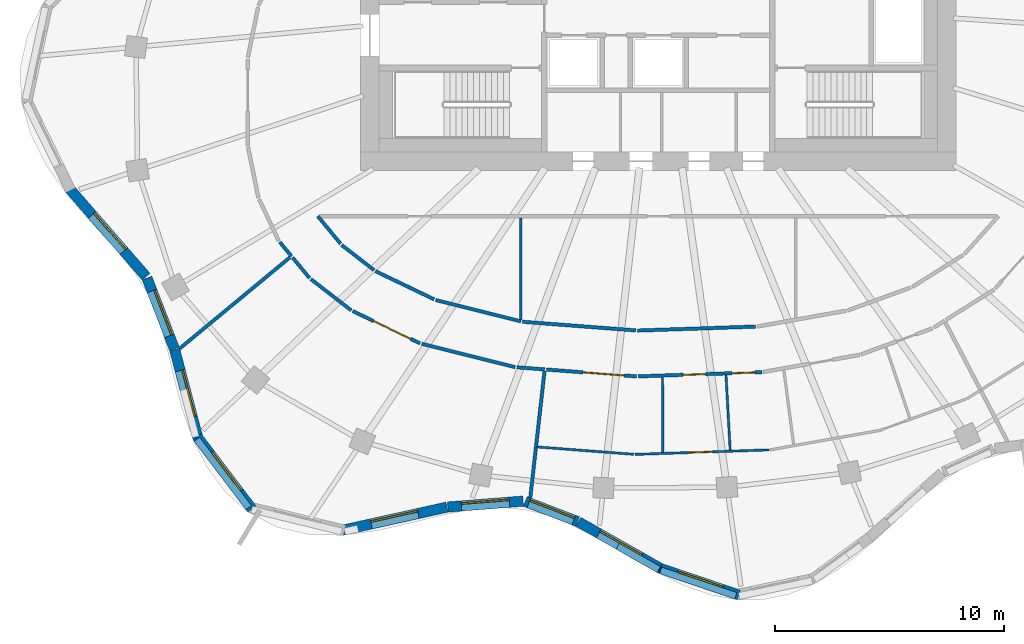
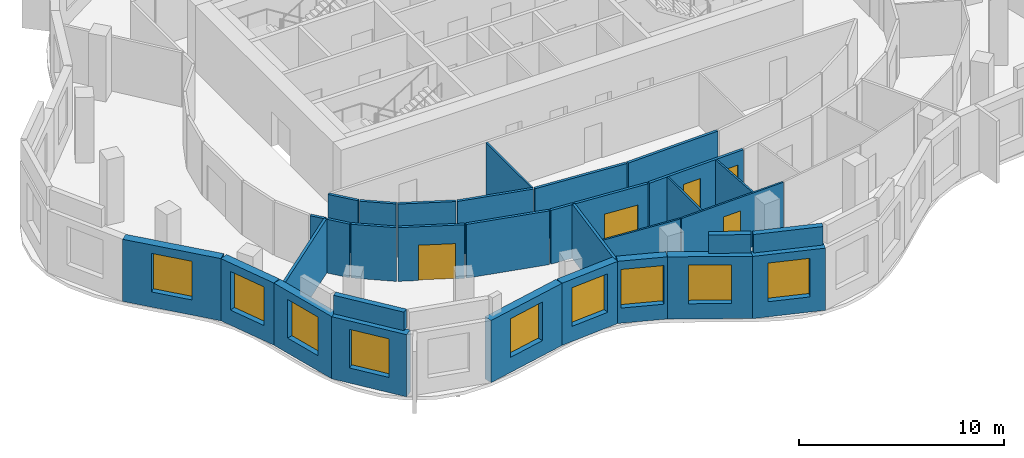
# One storey, part 3 of 10: 33 walls, 9 windows, 5 doors, 14 openings.
"""IFC4 building model written with IfcOpenShell, lengths in metres."""

from ifc_helpers import new_model, si_unit, direction, frame, frame_2d, origin, place, context, subcontext, project, spatial, rectangle, extrude, material, layer, layer_set, type_object, element, fill, save


model = new_model("IFC4")

# Units and contexts
model_context = context("Model", 3, precision=1e-05, world=origin(), true_north=direction((0.0, 1.0)))
body_context = subcontext(model_context, "Body", "Model", "MODEL_VIEW")
ifc_project = project(units=[si_unit("LENGTHUNIT", "METRE"), si_unit("AREAUNIT", "SQUARE_METRE"), si_unit("VOLUMEUNIT", "CUBIC_METRE"), si_unit("PLANEANGLEUNIT", "RADIAN"), si_unit("MASSUNIT", "GRAM", prefix="KILO")], contexts=[model_context])

# Site, building, storey
site_placement = place(None, origin())
site = spatial("IfcSite", under=ifc_project, at=site_placement, CompositionType="ELEMENT")
building_placement = place(site_placement, origin())
building = spatial("IfcBuilding", under=site, at=building_placement, Name="Rubra Terraces Tower", CompositionType="ELEMENT")
storey_placement = place(building_placement, frame((0.0, 0.0, 292.199951171875)))
storey = spatial("IfcBuildingStorey", under=building, at=storey_placement, Name="L72", CompositionType="ELEMENT", Elevation=292.199951171875)

# Wall, opening, window
ifc_material_1 = material(Name="Brick masonry red-brown", Category="masonry")
ifc_layer_1 = layer(ifc_material_1, 0.449951171875)
ifc_layer_set_1 = layer_set([ifc_layer_1], Name="Brick masonry red-brown")
wall_type_1 = type_object("IfcWallType", Name="Brick facade wall 450", PredefinedType="SOLIDWALL", material=ifc_layer_set_1)
wall_1_placement = place(storey_placement, frame((-25.690673828125, -3.815185546875, 0.0), z_axis=(0.0, 0.0, 1.0), x_axis=(0.656552883353, -0.754279995334, 0.0)))
wall_1 = element("IfcWall", 1, at=wall_1_placement, inside=storey, type_object=wall_type_1, Name="Facade wall L72 bay 22", PredefinedType="SOLIDWALL", context=body_context, shape_type="SweptSolid", body=[
    extrude(rectangle(XDim=5.0712890625, YDim=0.449951171875, at=frame_2d((2.53564453125, 0.0))), origin(), (0.0, 0.0, 1.0), 3.699951171875),
])
opening_1_placement = place(wall_1_placement, frame((1.485595703125, 0.0, 0.89990234375)))
opening_1 = element("IfcOpeningElement", 2, at=opening_1_placement, cuts=wall_1, Name="Opening W1B", PredefinedType="OPENING", context=body_context, shape_type="SweptSolid", body=[
    extrude(rectangle(XDim=2.10009765625, YDim=2.300048828125, at=frame_2d((1.050048828125, 1.14990234375))), frame((0.0, 0.23486328125, 0.0), z_axis=(0.0, -1.0, 0.0), x_axis=(1.0, 0.0, 0.0)), (0.0, 0.0, 1.0), 0.469970703125),
])
ifc_material_2 = material(Name="Clear glass in aluminium frame", Category="aluminium")
window_type = type_object("IfcWindowType", Name="Fixed deep-set window tall storey 2100 x 2300", PartitioningType="SINGLE_PANEL", PredefinedType="WINDOW", material=ifc_material_2)
window_1_placement = place(opening_1_placement, origin())
window_1 = element("IfcWindow", 3, at=window_1_placement, inside=storey, type_object=window_type, Name="Window L72 bay 22", OverallHeight=2.300048828125, OverallWidth=2.10009765625, PartitioningType="SINGLE_PANEL", PredefinedType="WINDOW", context=body_context, shape_type="SweptSolid", body=[
    extrude(rectangle(XDim=2.10009765625, YDim=2.300048828125, at=frame_2d((1.050048828125, 1.14990234375))), frame((0.0, 0.135009765625, 0.0), z_axis=(0.0, -1.0, 0.0), x_axis=(1.0, 0.0, 0.0)), (0.0, 0.0, 1.0), 0.06005859375),
])
fill(opening_1, window_1)

wall_2_placement = place(storey_placement, frame((-22.323486328125, -7.70068359375, 0.0), z_axis=(0.0, 0.0, 1.0), x_axis=(0.361550075906, -0.932352692178, 0.0)))
wall_2 = element("IfcWall", 4, at=wall_2_placement, inside=storey, type_object=wall_type_1, Name="Facade wall L72 bay 23", PredefinedType="SOLIDWALL", context=body_context, shape_type="SweptSolid", body=[
    extrude(rectangle(XDim=3.3134765625, YDim=0.449951171875, at=frame_2d((1.65673828125, 0.0))), origin(), (0.0, 0.0, 1.0), 3.699951171875),
])
opening_2_placement = place(wall_2_placement, frame((0.606689453125, 0.0, 0.89990234375)))
opening_2 = element("IfcOpeningElement", 5, at=opening_2_placement, cuts=wall_2, Name="Opening W1B", PredefinedType="OPENING", context=body_context, shape_type="SweptSolid", body=[
    extrude(rectangle(XDim=2.10009765625, YDim=2.300048828125, at=frame_2d((1.050048828125, 1.14990234375))), frame((0.0, 0.23486328125, 0.0), z_axis=(0.0, -1.0, 0.0), x_axis=(1.0, 0.0, 0.0)), (0.0, 0.0, 1.0), 0.469970703125),
])
window_2_placement = place(opening_2_placement, origin())
window_2 = element("IfcWindow", 6, at=window_2_placement, inside=storey, type_object=window_type, Name="Window L72 bay 23", OverallHeight=2.300048828125, OverallWidth=2.10009765625, PartitioningType="SINGLE_PANEL", PredefinedType="WINDOW", context=body_context, shape_type="SweptSolid", body=[
    extrude(rectangle(XDim=2.10009765625, YDim=2.300048828125, at=frame_2d((1.050048828125, 1.14990234375))), frame((0.0, 0.135009765625, 0.0), z_axis=(0.0, -1.0, 0.0), x_axis=(1.0, 0.0, 0.0)), (0.0, 0.0, 1.0), 0.06005859375),
])
fill(opening_2, window_2)

wall_3_placement = place(storey_placement, frame((-21.11669921875, -10.8154296875, 0.0), z_axis=(0.0, 0.0, 1.0), x_axis=(0.253065392985, -0.967449175344, 0.0)))
wall_3 = element("IfcWall", 7, at=wall_3_placement, inside=storey, type_object=wall_type_1, Name="Facade wall L72 bay 24", PredefinedType="SOLIDWALL", context=body_context, shape_type="SweptSolid", body=[
    extrude(rectangle(XDim=4.01513671875, YDim=0.449951171875, at=frame_2d((2.007568359375, 0.0))), origin(), (0.0, 0.0, 1.0), 3.699951171875),
])
opening_3_placement = place(wall_3_placement, frame((0.95751953125, 0.0, 0.89990234375)))
opening_3 = element("IfcOpeningElement", 8, at=opening_3_placement, cuts=wall_3, Name="Opening W1B", PredefinedType="OPENING", context=body_context, shape_type="SweptSolid", body=[
    extrude(rectangle(XDim=2.10009765625, YDim=2.300048828125, at=frame_2d((1.050048828125, 1.14990234375))), frame((0.0, 0.23486328125, 0.0), z_axis=(0.0, -1.0, 0.0), x_axis=(1.0, 0.0, 0.0)), (0.0, 0.0, 1.0), 0.469970703125),
])
window_3_placement = place(opening_3_placement, origin())
window_3 = element("IfcWindow", 9, at=window_3_placement, inside=storey, type_object=window_type, Name="Window L72 bay 24", OverallHeight=2.300048828125, OverallWidth=2.10009765625, PartitioningType="SINGLE_PANEL", PredefinedType="WINDOW", context=body_context, shape_type="SweptSolid", body=[
    extrude(rectangle(XDim=2.10009765625, YDim=2.300048828125, at=frame_2d((1.050048828125, 1.14990234375))), frame((0.0, 0.135009765625, 0.0), z_axis=(0.0, -1.0, 0.0), x_axis=(1.0, 0.0, 0.0)), (0.0, 0.0, 1.0), 0.06005859375),
])
fill(opening_3, window_3)

wall_4_placement = place(storey_placement, frame((-20.1376953125, -14.6259765625, 0.0), z_axis=(0.0, 0.0, 1.0), x_axis=(0.604591324894, -0.796535830872, 0.0)))
wall_4 = element("IfcWall", 10, at=wall_4_placement, inside=storey, type_object=wall_type_1, Name="Facade wall L72 bay 25", PredefinedType="SOLIDWALL", context=body_context, shape_type="SweptSolid", body=[
    extrude(rectangle(XDim=3.964599609375, YDim=0.449951171875, at=frame_2d((1.982421875, 0.0))), origin(), (0.0, 0.0, 1.0), 3.699951171875),
])
opening_4_placement = place(wall_4_placement, frame((0.932373046875, 0.0, 0.89990234375)))
opening_4 = element("IfcOpeningElement", 11, at=opening_4_placement, cuts=wall_4, Name="Opening W1B", PredefinedType="OPENING", context=body_context, shape_type="SweptSolid", body=[
    extrude(rectangle(XDim=2.10009765625, YDim=2.300048828125, at=frame_2d((1.050048828125, 1.14990234375))), frame((0.0, 0.23486328125, 0.0), z_axis=(0.0, -1.0, 0.0), x_axis=(1.0, 0.0, 0.0)), (0.0, 0.0, 1.0), 0.469970703125),
])
window_4_placement = place(opening_4_placement, origin())
window_4 = element("IfcWindow", 12, at=window_4_placement, inside=storey, type_object=window_type, Name="Window L72 bay 25", OverallHeight=2.300048828125, OverallWidth=2.10009765625, PartitioningType="SINGLE_PANEL", PredefinedType="WINDOW", context=body_context, shape_type="SweptSolid", body=[
    extrude(rectangle(XDim=2.10009765625, YDim=2.300048828125, at=frame_2d((1.050048828125, 1.14990234375))), frame((0.0, 0.135009765625, 0.0), z_axis=(0.0, -1.0, 0.0), x_axis=(1.0, 0.0, 0.0)), (0.0, 0.0, 1.0), 0.06005859375),
])
fill(opening_4, window_4)

wall_5_placement = place(storey_placement, frame((-13.802001953125, -18.714599609375, 0.0), z_axis=(0.0, 0.0, 1.0), x_axis=(0.976380129166, 0.216059814331, 0.0)))
wall_5 = element("IfcWall", 13, at=wall_5_placement, inside=storey, type_object=wall_type_1, Name="Facade wall L72 bay 27", PredefinedType="SOLIDWALL", context=body_context, shape_type="SweptSolid", body=[
    extrude(rectangle(XDim=4.691650390625, YDim=0.449951171875, at=frame_2d((2.345703125, 0.0))), origin(), (0.0, 0.0, 1.0), 3.699951171875),
])
opening_5_placement = place(wall_5_placement, frame((1.295654296875, 0.0, 0.89990234375)))
opening_5 = element("IfcOpeningElement", 14, at=opening_5_placement, cuts=wall_5, Name="Opening W1B", PredefinedType="OPENING", context=body_context, shape_type="SweptSolid", body=[
    extrude(rectangle(XDim=2.10009765625, YDim=2.300048828125, at=frame_2d((1.050048828125, 1.14990234375))), frame((0.0, 0.23486328125, 0.0), z_axis=(0.0, -1.0, 0.0), x_axis=(1.0, 0.0, 0.0)), (0.0, 0.0, 1.0), 0.469970703125),
])
window_5_placement = place(opening_5_placement, origin())
window_5 = element("IfcWindow", 15, at=window_5_placement, inside=storey, type_object=window_type, Name="Window L72 bay 27", OverallHeight=2.300048828125, OverallWidth=2.10009765625, PartitioningType="SINGLE_PANEL", PredefinedType="WINDOW", context=body_context, shape_type="SweptSolid", body=[
    extrude(rectangle(XDim=2.10009765625, YDim=2.300048828125, at=frame_2d((1.050048828125, 1.14990234375))), frame((0.0, 0.135009765625, 0.0), z_axis=(0.0, -1.0, 0.0), x_axis=(1.0, 0.0, 0.0)), (0.0, 0.0, 1.0), 0.06005859375),
])
fill(opening_5, window_5)

wall_6_placement = place(storey_placement, frame((-9.188232421875, -17.69677734375, 0.0), z_axis=(0.0, 0.0, 1.0), x_axis=(0.996964028691, 0.077863505548, 0.0)))
wall_6 = element("IfcWall", 16, at=wall_6_placement, inside=storey, type_object=wall_type_1, Name="Facade wall L72 bay 28", PredefinedType="SOLIDWALL", context=body_context, shape_type="SweptSolid", body=[
    extrude(rectangle(XDim=3.29541015625, YDim=0.449951171875, at=frame_2d((1.647705078125, 0.0))), origin(), (0.0, 0.0, 1.0), 3.699951171875),
])
opening_6_placement = place(wall_6_placement, frame((0.59765625, 0.0, 0.89990234375)))
opening_6 = element("IfcOpeningElement", 17, at=opening_6_placement, cuts=wall_6, Name="Opening W1B", PredefinedType="OPENING", context=body_context, shape_type="SweptSolid", body=[
    extrude(rectangle(XDim=2.10009765625, YDim=2.300048828125, at=frame_2d((1.050048828125, 1.14990234375))), frame((0.0, 0.23486328125, 0.0), z_axis=(0.0, -1.0, 0.0), x_axis=(1.0, 0.0, 0.0)), (0.0, 0.0, 1.0), 0.469970703125),
])
window_6_placement = place(opening_6_placement, origin())
window_6 = element("IfcWindow", 18, at=window_6_placement, inside=storey, type_object=window_type, Name="Window L72 bay 28", OverallHeight=2.300048828125, OverallWidth=2.10009765625, PartitioningType="SINGLE_PANEL", PredefinedType="WINDOW", context=body_context, shape_type="SweptSolid", body=[
    extrude(rectangle(XDim=2.10009765625, YDim=2.300048828125, at=frame_2d((1.050048828125, 1.14990234375))), frame((0.0, 0.135009765625, 0.0), z_axis=(0.0, -1.0, 0.0), x_axis=(1.0, 0.0, 0.0)), (0.0, 0.0, 1.0), 0.06005859375),
])
fill(opening_6, window_6)

wall_7_placement = place(storey_placement, frame((-5.810546875, -17.45458984375, 0.0), z_axis=(0.0, 0.0, 1.0), x_axis=(0.934122271306, -0.35695319336, 0.0)))
wall_7 = element("IfcWall", 19, at=wall_7_placement, inside=storey, type_object=wall_type_1, Name="Facade wall L72 bay 29", PredefinedType="SOLIDWALL", context=body_context, shape_type="SweptSolid", body=[
    extrude(rectangle(XDim=2.447998046875, YDim=0.449951171875, at=frame_2d((1.22412109375, 0.0))), origin(), (0.0, 0.0, 1.0), 3.699951171875),
])
opening_7_placement = place(wall_7_placement, frame((0.174072265625, 0.0, 0.89990234375)))
opening_7 = element("IfcOpeningElement", 20, at=opening_7_placement, cuts=wall_7, Name="Opening W1B", PredefinedType="OPENING", context=body_context, shape_type="SweptSolid", body=[
    extrude(rectangle(XDim=2.10009765625, YDim=2.300048828125, at=frame_2d((1.050048828125, 1.14990234375))), frame((0.0, 0.23486328125, 0.0), z_axis=(0.0, -1.0, 0.0), x_axis=(1.0, 0.0, 0.0)), (0.0, 0.0, 1.0), 0.469970703125),
])
window_7_placement = place(opening_7_placement, origin())
window_7 = element("IfcWindow", 21, at=window_7_placement, inside=storey, type_object=window_type, Name="Window L72 bay 29", OverallHeight=2.300048828125, OverallWidth=2.10009765625, PartitioningType="SINGLE_PANEL", PredefinedType="WINDOW", context=body_context, shape_type="SweptSolid", body=[
    extrude(rectangle(XDim=2.10009765625, YDim=2.300048828125, at=frame_2d((1.050048828125, 1.14990234375))), frame((0.0, 0.135009765625, 0.0), z_axis=(0.0, -1.0, 0.0), x_axis=(1.0, 0.0, 0.0)), (0.0, 0.0, 1.0), 0.06005859375),
])
fill(opening_7, window_7)

wall_8_placement = place(storey_placement, frame((-3.4931640625, -18.3427734375, 0.0), z_axis=(0.0, 0.0, 1.0), x_axis=(0.869825988853, -0.493358641473, 0.0)))
wall_8 = element("IfcWall", 22, at=wall_8_placement, inside=storey, type_object=wall_type_1, Name="Facade wall L72 bay 30", PredefinedType="SOLIDWALL", context=body_context, shape_type="SweptSolid", body=[
    extrude(rectangle(XDim=4.164794921875, YDim=0.449951171875, at=frame_2d((2.08251953125, 0.0))), origin(), (0.0, 0.0, 1.0), 3.699951171875),
])
opening_8_placement = place(wall_8_placement, frame((1.032470703125, 0.0, 0.89990234375)))
opening_8 = element("IfcOpeningElement", 23, at=opening_8_placement, cuts=wall_8, Name="Opening W1B", PredefinedType="OPENING", context=body_context, shape_type="SweptSolid", body=[
    extrude(rectangle(XDim=2.10009765625, YDim=2.300048828125, at=frame_2d((1.050048828125, 1.14990234375))), frame((0.0, 0.23486328125, 0.0), z_axis=(0.0, -1.0, 0.0), x_axis=(1.0, 0.0, 0.0)), (0.0, 0.0, 1.0), 0.469970703125),
])
window_8_placement = place(opening_8_placement, origin())
window_8 = element("IfcWindow", 24, at=window_8_placement, inside=storey, type_object=window_type, Name="Window L72 bay 30", OverallHeight=2.300048828125, OverallWidth=2.10009765625, PartitioningType="SINGLE_PANEL", PredefinedType="WINDOW", context=body_context, shape_type="SweptSolid", body=[
    extrude(rectangle(XDim=2.10009765625, YDim=2.300048828125, at=frame_2d((1.050048828125, 1.14990234375))), frame((0.0, 0.135009765625, 0.0), z_axis=(0.0, -1.0, 0.0), x_axis=(1.0, 0.0, 0.0)), (0.0, 0.0, 1.0), 0.06005859375),
])
fill(opening_8, window_8)

wall_9_placement = place(storey_placement, frame((0.090576171875, -20.380126953125, 0.0), z_axis=(0.0, 0.0, 1.0), x_axis=(0.947304227221, -0.320335294791, 0.0)))
wall_9 = element("IfcWall", 25, at=wall_9_placement, inside=storey, type_object=wall_type_1, Name="Facade wall L72 bay 31", PredefinedType="SOLIDWALL", context=body_context, shape_type="SweptSolid", body=[
    extrude(rectangle(XDim=3.6171875, YDim=0.449951171875, at=frame_2d((1.80859375, 0.0))), origin(), (0.0, 0.0, 1.0), 3.699951171875),
])
opening_9_placement = place(wall_9_placement, frame((0.758544921875, 0.0, 0.89990234375)))
opening_9 = element("IfcOpeningElement", 26, at=opening_9_placement, cuts=wall_9, Name="Opening W1B", PredefinedType="OPENING", context=body_context, shape_type="SweptSolid", body=[
    extrude(rectangle(XDim=2.10009765625, YDim=2.300048828125, at=frame_2d((1.050048828125, 1.14990234375))), frame((0.0, 0.23486328125, 0.0), z_axis=(0.0, -1.0, 0.0), x_axis=(1.0, 0.0, 0.0)), (0.0, 0.0, 1.0), 0.469970703125),
])
window_9_placement = place(opening_9_placement, origin())
window_9 = element("IfcWindow", 27, at=window_9_placement, inside=storey, type_object=window_type, Name="Window L72 bay 31", OverallHeight=2.300048828125, OverallWidth=2.10009765625, PartitioningType="SINGLE_PANEL", PredefinedType="WINDOW", context=body_context, shape_type="SweptSolid", body=[
    extrude(rectangle(XDim=2.10009765625, YDim=2.300048828125, at=frame_2d((1.050048828125, 1.14990234375))), frame((0.0, 0.135009765625, 0.0), z_axis=(0.0, -1.0, 0.0), x_axis=(1.0, 0.0, 0.0)), (0.0, 0.0, 1.0), 0.06005859375),
])
fill(opening_9, window_9)

# Walls
ifc_layer_2 = layer(ifc_material_1, 0.300048828125)
ifc_layer_set_2 = layer_set([ifc_layer_2], Name="Brick masonry red-brown")
wall_type_2 = type_object("IfcWallType", Name="Brick parapet 300", PredefinedType="PARAPET", material=ifc_layer_set_2)
wall_10_placement = place(storey_placement, frame((-20.143310546875, -14.742919921875, 3.900146484375), z_axis=(0.0, 0.0, 1.0), x_axis=(0.60459800049, -0.796530763878, 0.0)))
element("IfcWall", 28, at=wall_10_placement, inside=storey, type_object=wall_type_2, Name="Parapet L72 bay 25", PredefinedType="PARAPET", context=body_context, shape_type="SweptSolid", body=[
    extrude(rectangle(XDim=3.738525390625, YDim=0.300048828125, at=frame_2d((1.869140625, 0.0))), origin(), (0.0, 0.0, 1.0), 1.099853515625),
])
wall_11_placement = place(storey_placement, frame((-1.773681640625, -19.40869140625, 3.900146484375), z_axis=(0.0, 0.0, 1.0), x_axis=(0.869875110904, -0.493272025792, 0.0)))
element("IfcWall", 29, at=wall_11_placement, inside=storey, type_object=wall_type_2, Name="Parapet L72 bay 30", PredefinedType="PARAPET", context=body_context, shape_type="SweptSolid", body=[
    extrude(rectangle(XDim=2.0654296875, YDim=0.300048828125, at=frame_2d((1.03271484375, 0.0))), origin(), (0.0, 0.0, 1.0), 1.099853515625),
])
wall_12_placement = place(storey_placement, frame((0.103515625, -20.463623046875, 3.900146484375), z_axis=(0.0, 0.0, 1.0), x_axis=(0.947286690835, -0.32038714919, 0.0)))
element("IfcWall", 30, at=wall_12_placement, inside=storey, type_object=wall_type_2, Name="Parapet L72 bay 31", PredefinedType="PARAPET", context=body_context, shape_type="SweptSolid", body=[
    extrude(rectangle(XDim=3.46630859375, YDim=0.300048828125, at=frame_2d((1.733154296875, 0.0))), origin(), (0.0, 0.0, 1.0), 1.099853515625),
])
ifc_material_3 = material(Name="Plasterboard on steel stud, mineral wool infill", Category="steel")
ifc_layer_3 = layer(ifc_material_3, 0.14990234375)
ifc_layer_set_3 = layer_set([ifc_layer_3], Name="Plasterboard on steel stud, mineral wool infill")
wall_type_3 = type_object("IfcWallType", Name="CORRIDOR PARTITION 150", PredefinedType="PARTITIONING", material=ifc_layer_set_3)
wall_13_placement = place(storey_placement, frame((-16.523193359375, -6.131591796875, 0.0), z_axis=(0.0, 0.0, 1.0), x_axis=(0.636698606768, -0.771112757085, 0.0)))
element("IfcWall", 31, at=wall_13_placement, inside=storey, type_object=wall_type_3, Name="PARTITION", PredefinedType="PARTITIONING", context=body_context, shape_type="SweptSolid", body=[
    extrude(rectangle(XDim=0.793701171875, YDim=0.14990234375, at=frame_2d((0.39697265625, 0.0))), origin(), (0.0, 0.0, 1.0), 3.197998046875),
])
wall_14_placement = place(storey_placement, frame((-15.97021484375, -6.801513671875, 0.0), z_axis=(0.0, 0.0, 1.0), x_axis=(0.636897609689, -0.770948399552, 0.0)))
element("IfcWall", 32, at=wall_14_placement, inside=storey, type_object=wall_type_3, Name="PARTITION", PredefinedType="PARTITIONING", context=body_context, shape_type="SweptSolid", body=[
    extrude(rectangle(XDim=1.171142578125, YDim=0.14990234375, at=frame_2d((0.58544921875, 0.0))), origin(), (0.0, 0.0, 1.0), 3.197998046875),
])
wall_15_placement = place(storey_placement, frame((-15.1650390625, -7.750244140625, 0.0), z_axis=(0.0, 0.0, 1.0), x_axis=(0.790917548929, -0.611922732701, 0.0)))
element("IfcWall", 33, at=wall_15_placement, inside=storey, type_object=wall_type_3, Name="PARTITION", PredefinedType="PARTITIONING", context=body_context, shape_type="SweptSolid", body=[
    extrude(rectangle(XDim=2.221923828125, YDim=0.14990234375, at=frame_2d((1.11083984375, 0.0))), origin(), (0.0, 0.0, 1.0), 3.197998046875),
])

# Wall, opening, door
wall_16_placement = place(storey_placement, frame((-13.340087890625, -9.142333984375, 0.0), z_axis=(0.0, 0.0, 1.0), x_axis=(0.901599124721, -0.432572558425, 0.0)))
wall_16 = element("IfcWall", 34, at=wall_16_placement, inside=storey, type_object=wall_type_3, Name="PARTITION", PredefinedType="PARTITIONING", context=body_context, shape_type="SweptSolid", body=[
    extrude(rectangle(XDim=3.2548828125, YDim=0.14990234375, at=frame_2d((1.62744140625, 0.0))), origin(), (0.0, 0.0, 1.0), 3.197998046875),
])
opening_10_placement = place(wall_16_placement, frame((1.0, 0.0, 0.0)))
opening_10 = element("IfcOpeningElement", 35, at=opening_10_placement, cuts=wall_16, Name="Opening 72-102", PredefinedType="OPENING", context=body_context, shape_type="SweptSolid", body=[
    extrude(rectangle(XDim=1.800048828125, YDim=2.10009765625, at=frame_2d((0.89990234375, 1.050048828125))), frame((0.0, 0.0849609375, 0.0), z_axis=(0.0, -1.0, 0.0), x_axis=(1.0, 0.0, 0.0)), (0.0, 0.0, 1.0), 0.169921875),
])
ifc_material_4 = material(Name="Painted timber door leaf, double", Category="wood")
door_type_1 = type_object("IfcDoorType", Name="ROOM DOUBLE DOOR 1800 X 2100", OperationType="DOUBLE_DOOR_SINGLE_SWING", PredefinedType="DOOR", material=ifc_material_4)
door_1_placement = place(opening_10_placement, origin())
door_1 = element("IfcDoor", 36, at=door_1_placement, inside=storey, type_object=door_type_1, Name="DOOR 72-102", OperationType="DOUBLE_DOOR_SINGLE_SWING", OverallHeight=2.10009765625, OverallWidth=1.800048828125, PredefinedType="DOOR", context=body_context, shape_type="SweptSolid", body=[
    extrude(rectangle(XDim=1.800048828125, YDim=2.10009765625, at=frame_2d((0.89990234375, 1.050048828125))), frame((0.0, 0.02490234375, 0.0), z_axis=(0.0, -1.0, 0.0), x_axis=(1.0, 0.0, 0.0)), (0.0, 0.0, 1.0), 0.050048828125),
])
fill(opening_10, door_1)

# Walls
wall_17_placement = place(storey_placement, frame((-10.332763671875, -10.568603515625, 0.0), z_axis=(0.0, 0.0, 1.0), x_axis=(0.970067398009, -0.242835836151, 0.0)))
element("IfcWall", 37, at=wall_17_placement, inside=storey, type_object=wall_type_3, Name="PARTITION", PredefinedType="PARTITIONING", context=body_context, shape_type="SweptSolid", body=[
    extrude(rectangle(XDim=4.20947265625, YDim=0.14990234375, at=frame_2d((2.104736328125, 0.0))), origin(), (0.0, 0.0, 1.0), 3.197998046875),
])
wall_18_placement = place(storey_placement, frame((-6.174560546875, -11.596435546875, 0.0), z_axis=(0.0, 0.0, 1.0), x_axis=(0.997106038867, -0.076023333621, 0.0)))
element("IfcWall", 38, at=wall_18_placement, inside=storey, type_object=wall_type_3, Name="PARTITION", PredefinedType="PARTITIONING", context=body_context, shape_type="SweptSolid", body=[
    extrude(rectangle(XDim=1.22021484375, YDim=0.14990234375, at=frame_2d((0.610107421875, 0.0))), origin(), (0.0, 0.0, 1.0), 3.197998046875),
])

# Wall, opening, door
wall_19_placement = place(storey_placement, frame((-4.8828125, -11.695068359375, 0.0), z_axis=(0.0, 0.0, 1.0), x_axis=(0.997096936577, -0.076142623207, 0.0)))
wall_19 = element("IfcWall", 39, at=wall_19_placement, inside=storey, type_object=wall_type_3, Name="PARTITION", PredefinedType="PARTITIONING", context=body_context, shape_type="SweptSolid", body=[
    extrude(rectangle(XDim=3.94384765625, YDim=0.14990234375, at=frame_2d((1.971923828125, 0.0))), origin(), (0.0, 0.0, 1.0), 3.197998046875),
])
opening_11_placement = place(wall_19_placement, frame((1.60400390625, 0.0, 0.0)))
opening_11 = element("IfcOpeningElement", 40, at=opening_11_placement, cuts=wall_19, Name="Opening 72-103", PredefinedType="OPENING", context=body_context, shape_type="SweptSolid", body=[
    extrude(rectangle(XDim=1.800048828125, YDim=2.10009765625, at=frame_2d((0.89990234375, 1.050048828125))), frame((0.0, 0.0849609375, 0.0), z_axis=(0.0, -1.0, 0.0), x_axis=(1.0, 0.0, 0.0)), (0.0, 0.0, 1.0), 0.169921875),
])
door_2_placement = place(opening_11_placement, origin())
door_2 = element("IfcDoor", 41, at=door_2_placement, inside=storey, type_object=door_type_1, Name="DOOR 72-103", OperationType="DOUBLE_DOOR_SINGLE_SWING", OverallHeight=2.10009765625, OverallWidth=1.800048828125, PredefinedType="DOOR", context=body_context, shape_type="SweptSolid", body=[
    extrude(rectangle(XDim=1.800048828125, YDim=2.10009765625, at=frame_2d((0.89990234375, 1.050048828125))), frame((0.0, 0.02490234375, 0.0), z_axis=(0.0, -1.0, 0.0), x_axis=(1.0, 0.0, 0.0)), (0.0, 0.0, 1.0), 0.050048828125),
])
fill(opening_11, door_2)

# Wall, openings, doors
wall_20_placement = place(storey_placement, frame((-0.87548828125, -11.992919921875, 0.0), z_axis=(0.0, 0.0, 1.0), x_axis=(0.999436745295, 0.033558786542, 0.0)))
wall_20 = element("IfcWall", 42, at=wall_20_placement, inside=storey, type_object=wall_type_3, Name="PARTITION", PredefinedType="PARTITIONING", context=body_context, shape_type="SweptSolid", body=[
    extrude(rectangle(XDim=5.39794921875, YDim=0.14990234375, at=frame_2d((2.698974609375, 0.0))), origin(), (0.0, 0.0, 1.0), 3.197998046875),
])
opening_12_placement = place(wall_20_placement, frame((1.947021484375, 0.0, 0.0)))
opening_12 = element("IfcOpeningElement", 43, at=opening_12_placement, cuts=wall_20, Name="Opening 72-104", PredefinedType="OPENING", context=body_context, shape_type="SweptSolid", body=[
    extrude(rectangle(XDim=1.0, YDim=2.39990234375, at=frame_2d((0.5, 1.199951171875))), frame((0.0, 0.0849609375, 0.0), z_axis=(0.0, -1.0, 0.0), x_axis=(1.0, 0.0, 0.0)), (0.0, 0.0, 1.0), 0.169921875),
])
opening_13_placement = place(wall_20_placement, frame((4.097900390625, 0.0, 0.0)))
opening_13 = element("IfcOpeningElement", 44, at=opening_13_placement, cuts=wall_20, Name="Opening 72-105", PredefinedType="OPENING", context=body_context, shape_type="SweptSolid", body=[
    extrude(rectangle(XDim=1.0, YDim=2.39990234375, at=frame_2d((0.5, 1.199951171875))), frame((0.0, 0.0849609375, 0.0), z_axis=(0.0, -1.0, 0.0), x_axis=(1.0, 0.0, 0.0)), (0.0, 0.0, 1.0), 0.169921875),
])
ifc_material_5 = material(Name="Glazed aluminium meeting door leaf", Category="aluminium")
door_type_2 = type_object("IfcDoorType", Name="MEETING ROOM GLAZED DOOR 1000 X 2400", OperationType="SINGLE_SWING_LEFT", PredefinedType="DOOR", material=ifc_material_5)
door_3_placement = place(opening_12_placement, origin())
door_3 = element("IfcDoor", 45, at=door_3_placement, inside=storey, type_object=door_type_2, Name="DOOR 72-104", OperationType="SINGLE_SWING_RIGHT", OverallHeight=2.39990234375, OverallWidth=1.0, PredefinedType="DOOR", context=body_context, shape_type="SweptSolid", body=[
    extrude(rectangle(XDim=1.0, YDim=2.39990234375, at=frame_2d((0.5, 1.199951171875))), frame((0.0, 0.02490234375, 0.0), z_axis=(0.0, -1.0, 0.0), x_axis=(1.0, 0.0, 0.0)), (0.0, 0.0, 1.0), 0.050048828125),
])
fill(opening_12, door_3)
door_4_placement = place(opening_13_placement, origin())
door_4 = element("IfcDoor", 46, at=door_4_placement, inside=storey, type_object=door_type_2, Name="DOOR 72-105", OperationType="SINGLE_SWING_RIGHT", OverallHeight=2.39990234375, OverallWidth=1.0, PredefinedType="DOOR", context=body_context, shape_type="SweptSolid", body=[
    extrude(rectangle(XDim=1.0, YDim=2.39990234375, at=frame_2d((0.5, 1.199951171875))), frame((0.0, 0.02490234375, 0.0), z_axis=(0.0, -1.0, 0.0), x_axis=(1.0, 0.0, 0.0)), (0.0, 0.0, 1.0), 0.050048828125),
])
fill(opening_13, door_4)

# Walls
wall_21_placement = place(storey_placement, frame((4.235595703125, -9.820068359375, 0.0), z_axis=(0.0, 0.0, 1.0), x_axis=(-0.999435760561, -0.033588100749, 0.0)))
element("IfcWall", 47, at=wall_21_placement, inside=storey, type_object=wall_type_3, Name="PARTITION", PredefinedType="PARTITIONING", context=body_context, shape_type="SweptSolid", body=[
    extrude(rectangle(XDim=5.146240234375, YDim=0.14990234375, at=frame_2d((2.5732421875, 0.0))), origin(), (0.0, 0.0, 1.0), 3.197998046875),
])
wall_22_placement = place(storey_placement, frame((-0.982421875, -9.987060546875, 0.0), z_axis=(0.0, 0.0, 1.0), x_axis=(-0.997096607341, 0.07614693447, 0.0)))
element("IfcWall", 48, at=wall_22_placement, inside=storey, type_object=wall_type_3, Name="PARTITION", PredefinedType="PARTITIONING", context=body_context, shape_type="SweptSolid", body=[
    extrude(rectangle(XDim=4.9599609375, YDim=0.14990234375, at=frame_2d((2.47998046875, 0.0))), origin(), (0.0, 0.0, 1.0), 3.197998046875),
])
wall_23_placement = place(storey_placement, frame((-6.000732421875, -9.59130859375, 0.0), z_axis=(0.0, 0.0, 1.0), x_axis=(-0.970063855769, 0.242849986061, 0.0)))
element("IfcWall", 49, at=wall_23_placement, inside=storey, type_object=wall_type_3, Name="PARTITION", PredefinedType="PARTITIONING", context=body_context, shape_type="SweptSolid", body=[
    extrude(rectangle(XDim=3.83740234375, YDim=0.14990234375, at=frame_2d((1.918701171875, 0.0))), origin(), (0.0, 0.0, 1.0), 3.197998046875),
])
wall_24_placement = place(storey_placement, frame((-9.790771484375, -8.626953125, 0.0), z_axis=(0.0, 0.0, 1.0), x_axis=(-0.901598165215, 0.432574558292, 0.0)))
element("IfcWall", 50, at=wall_24_placement, inside=storey, type_object=wall_type_3, Name="PARTITION", PredefinedType="PARTITIONING", context=body_context, shape_type="SweptSolid", body=[
    extrude(rectangle(XDim=2.840087890625, YDim=0.14990234375, at=frame_2d((1.419921875, 0.0))), origin(), (0.0, 0.0, 1.0), 3.197998046875),
])
wall_25_placement = place(storey_placement, frame((-12.41064453125, -7.3525390625, 0.0), z_axis=(0.0, 0.0, 1.0), x_axis=(-0.790894311556, 0.611952766109, 0.0)))
element("IfcWall", 51, at=wall_25_placement, inside=storey, type_object=wall_type_3, Name="PARTITION", PredefinedType="PARTITIONING", context=body_context, shape_type="SweptSolid", body=[
    extrude(rectangle(XDim=1.787353515625, YDim=0.14990234375, at=frame_2d((0.8935546875, 0.0))), origin(), (0.0, 0.0, 1.0), 3.197998046875),
])
wall_26_placement = place(storey_placement, frame((-13.8720703125, -6.200927734375, 0.0), z_axis=(0.0, 0.0, 1.0), x_axis=(-0.636832838855, 0.771001903601, 0.0)))
element("IfcWall", 52, at=wall_26_placement, inside=storey, type_object=wall_type_3, Name="PARTITION", PredefinedType="PARTITIONING", context=body_context, shape_type="SweptSolid", body=[
    extrude(rectangle(XDim=1.5576171875, YDim=0.14990234375, at=frame_2d((0.77880859375, 0.0))), origin(), (0.0, 0.0, 1.0), 3.197998046875),
])

# Wall, opening, door
ifc_material_6 = material(Name="Plasterboard on steel stud", Category="steel")
ifc_layer_4 = layer(ifc_material_6, 0.10009765625)
ifc_layer_set_4 = layer_set([ifc_layer_4], Name="Plasterboard on steel stud")
wall_type_4 = type_object("IfcWallType", Name="ROOM PARTITION 100", PredefinedType="PARTITIONING", material=ifc_layer_set_4)
wall_27_placement = place(storey_placement, frame((4.82470703125, -15.203369140625, 0.0), z_axis=(0.0, 0.0, 1.0), x_axis=(-0.999435699456, -0.033589918924, 0.0)))
wall_27 = element("IfcWall", 53, at=wall_27_placement, inside=storey, type_object=wall_type_4, Name="PARTITION", PredefinedType="PARTITIONING", context=body_context, shape_type="SweptSolid", body=[
    extrude(rectangle(XDim=5.85107421875, YDim=0.10009765625, at=frame_2d((2.925537109375, 0.0))), origin(), (0.0, 0.0, 1.0), 3.197998046875),
])
opening_14_placement = place(wall_27_placement, frame((2.449951171875, 0.0, 0.0)))
opening_14 = element("IfcOpeningElement", 54, at=opening_14_placement, cuts=wall_27, Name="Opening 72-116", PredefinedType="OPENING", context=body_context, shape_type="SweptSolid", body=[
    extrude(rectangle(XDim=1.0, YDim=2.39990234375, at=frame_2d((0.5, 1.199951171875))), frame((0.0, 0.06005859375, 0.0), z_axis=(0.0, -1.0, 0.0), x_axis=(1.0, 0.0, 0.0)), (0.0, 0.0, 1.0), 0.1201171875),
])
door_5_placement = place(opening_14_placement, origin())
door_5 = element("IfcDoor", 55, at=door_5_placement, inside=storey, type_object=door_type_2, Name="DOOR 72-116", OperationType="SINGLE_SWING_LEFT", OverallHeight=2.39990234375, OverallWidth=1.0, PredefinedType="DOOR", context=body_context, shape_type="SweptSolid", body=[
    extrude(rectangle(XDim=1.0, YDim=2.39990234375, at=frame_2d((0.5, 1.199951171875))), frame((0.0, 0.02490234375, 0.0), z_axis=(0.0, -1.0, 0.0), x_axis=(1.0, 0.0, 0.0)), (0.0, 0.0, 1.0), 0.050048828125),
])
fill(opening_14, door_5)

# Walls
wall_28_placement = place(storey_placement, frame((-1.072998046875, -15.39599609375, 0.0), z_axis=(0.0, 0.0, 1.0), x_axis=(-0.997093140471, 0.076192317369, 0.0)))
element("IfcWall", 56, at=wall_28_placement, inside=storey, type_object=wall_type_4, Name="PARTITION", PredefinedType="PARTITIONING", context=body_context, shape_type="SweptSolid", body=[
    extrude(rectangle(XDim=4.258544921875, YDim=0.10009765625, at=frame_2d((2.12939453125, 0.0))), origin(), (0.0, 0.0, 1.0), 3.197998046875),
])
wall_29_placement = place(storey_placement, frame((0.1875, -12.0322265625, 0.0), z_axis=(0.0, 0.0, 1.0), x_axis=(0.001937258864, -0.999998123512, 0.0)))
element("IfcWall", 57, at=wall_29_placement, inside=storey, type_object=wall_type_4, Name="PARTITION", PredefinedType="PARTITIONING", context=body_context, shape_type="SweptSolid", body=[
    extrude(rectangle(XDim=3.276611328125, YDim=0.10009765625, at=frame_2d((1.63818359375, 0.0))), origin(), (0.0, 0.0, 1.0), 3.197998046875),
])
wall_30_placement = place(storey_placement, frame((2.956298828125, -11.939208984375, 0.0), z_axis=(0.0, 0.0, 1.0), x_axis=(0.055226477976, -0.998473853504, 0.0)))
element("IfcWall", 58, at=wall_30_placement, inside=storey, type_object=wall_type_4, Name="PARTITION", PredefinedType="PARTITIONING", context=body_context, shape_type="SweptSolid", body=[
    extrude(rectangle(XDim=3.275634765625, YDim=0.10009765625, at=frame_2d((1.6376953125, 0.0))), origin(), (0.0, 0.0, 1.0), 3.197998046875),
])
wall_31_placement = place(storey_placement, frame((-6.0, -9.516357421875, 0.0), z_axis=(0.0, 0.0, 1.0), x_axis=(0.0, 1.0, 0.0)))
element("IfcWall", 59, at=wall_31_placement, inside=storey, type_object=wall_type_4, Name="PARTITION", PredefinedType="PARTITIONING", context=body_context, shape_type="SweptSolid", body=[
    extrude(rectangle(XDim=4.44140625, YDim=0.10009765625, at=frame_2d((2.220703125, 0.0))), origin(), (0.0, 0.0, 1.0), 3.197998046875),
])
ifc_layer_5 = layer(ifc_material_6, 0.14990234375)
ifc_layer_set_5 = layer_set([ifc_layer_5], Name="Plasterboard on steel stud")
wall_type_5 = type_object("IfcWallType", Name="ROOM PARTITION 150", PredefinedType="PARTITIONING", material=ifc_layer_set_5)
wall_32_placement = place(storey_placement, frame((-20.894287109375, -10.776611328125, 0.0), z_axis=(0.0, 0.0, 1.0), x_axis=(0.770606553, 0.637311180251, 0.0)))
element("IfcWall", 60, at=wall_32_placement, inside=storey, type_object=wall_type_5, Name="PARTITION", PredefinedType="PARTITIONING", context=body_context, shape_type="SweptSolid", body=[
    extrude(rectangle(XDim=6.2529296875, YDim=0.14990234375, at=frame_2d((3.12646484375, 0.0))), origin(), (0.0, 0.0, 1.0), 3.234130859375),
])
wall_33_placement = place(storey_placement, frame((-5.589599609375, -17.2939453125, 0.0), z_axis=(0.0, 0.0, 1.0), x_axis=(0.112044411854, 0.993703200041, 0.0)))
element("IfcWall", 61, at=wall_33_placement, inside=storey, type_object=wall_type_5, Name="PARTITION", PredefinedType="PARTITIONING", context=body_context, shape_type="SweptSolid", body=[
    extrude(rectangle(XDim=5.565185546875, YDim=0.14990234375, at=frame_2d((2.78271484375, 0.0))), origin(), (0.0, 0.0, 1.0), 3.234130859375),
])

save(model, "model.ifc")
